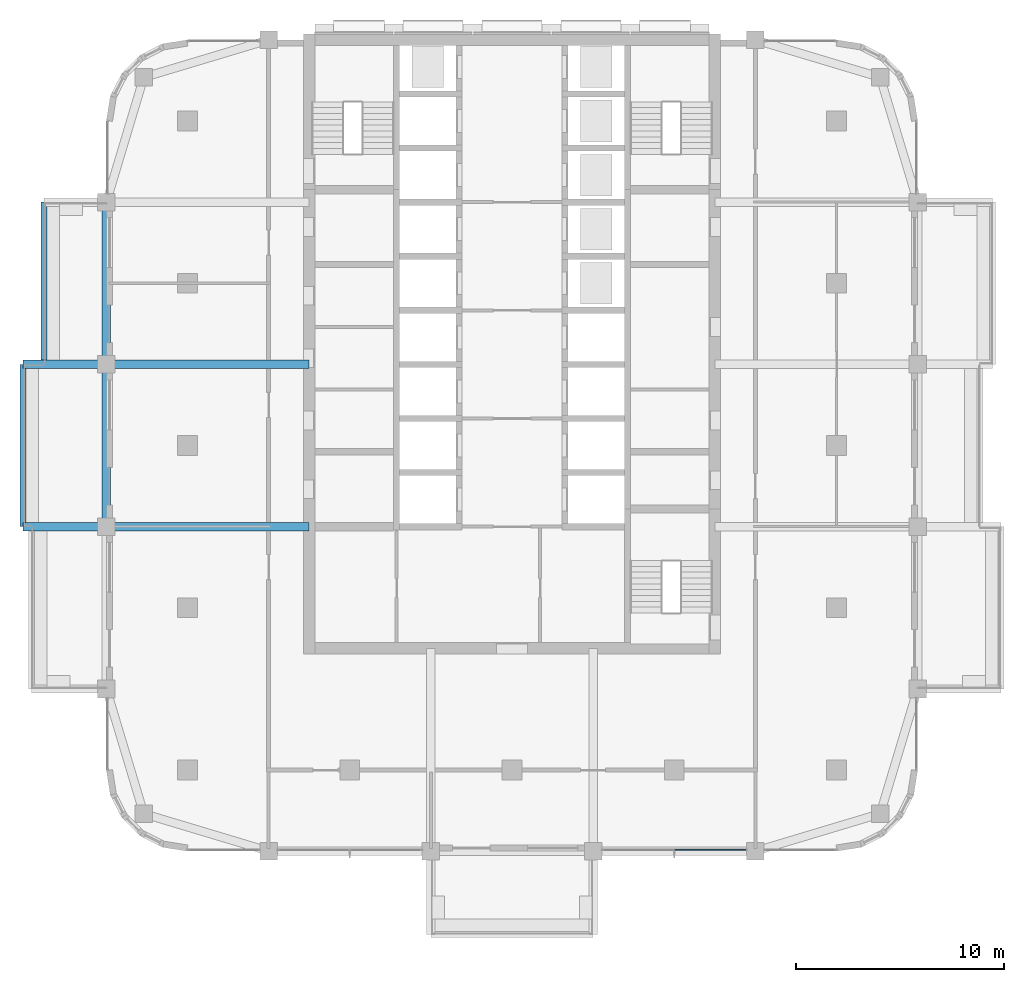
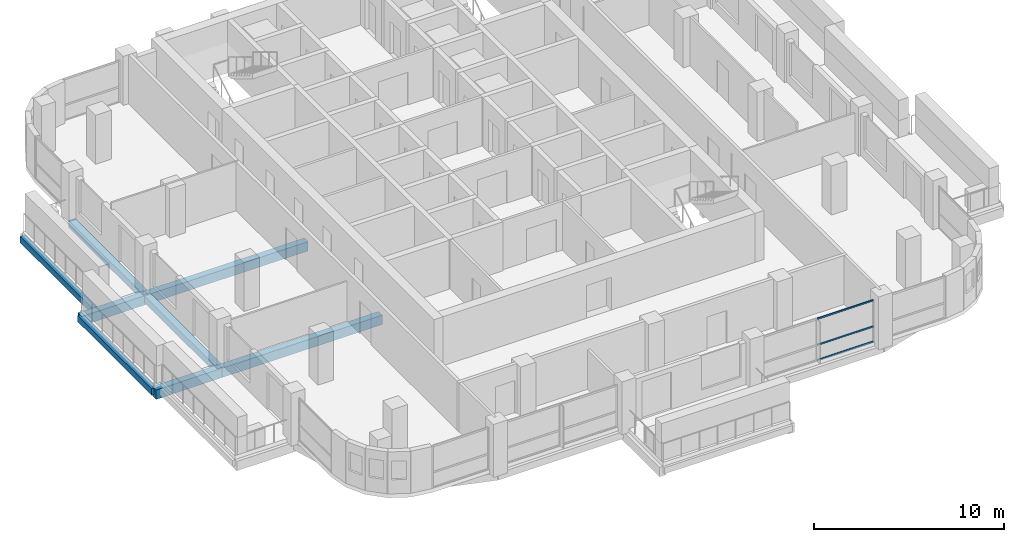
# One storey, part 4 of 19: 8 beams, 3 members, 1 element without a shape of its own.
"""IFC4 building model written with IfcOpenShell, lengths in metres."""

from ifc_helpers import new_model, si_unit, direction, frame, origin, origin_2d, place, context, subcontext, project, spatial, rectangle, extrude, material, material_profile, profile_set, type_object, element, aggregate, save


model = new_model("IFC4")

# Units and contexts
model_context = context("Model", 3, precision=1e-05, world=origin(), true_north=direction((0.0, 1.0)))
body_context = subcontext(model_context, "Body", "Model", "MODEL_VIEW")
ifc_project = project(units=[si_unit("LENGTHUNIT", "METRE"), si_unit("AREAUNIT", "SQUARE_METRE"), si_unit("VOLUMEUNIT", "CUBIC_METRE"), si_unit("PLANEANGLEUNIT", "RADIAN"), si_unit("MASSUNIT", "GRAM", prefix="KILO")], contexts=[model_context])

# Site, building, storey
site_placement = place(None, origin())
site = spatial("IfcSite", under=ifc_project, at=site_placement, CompositionType="ELEMENT")
building_placement = place(site_placement, origin())
building = spatial("IfcBuilding", under=site, at=building_placement, Name="Ludao Terraces", CompositionType="ELEMENT")
storey_placement = place(building_placement, frame((0.0, 0.0, 133.89990234375)))
storey = spatial("IfcBuildingStorey", under=building, at=storey_placement, Name="L36", CompositionType="ELEMENT", Elevation=133.89990234375)

# Curtain wall, members
ifc_material_1 = material(Name="Aluminium curtain wall with fritted glass", Category="aluminium")
curtain_wall_type = type_object("IfcCurtainWallType", Name="ENV CW3 community glazing", PredefinedType="NOTDEFINED", material=ifc_material_1)
curtain_wall_placement = place(storey_placement, origin())
curtain_wall = element("IfcCurtainWall", 1, at=curtain_wall_placement, inside=storey, type_object=curtain_wall_type, Name="Community floor glazing L36 S4", PredefinedType="NOTDEFINED")
ifc_material_2 = material(Name="Aluminium 6063-T6", Category="aluminium")
ifc_material_profile_1 = material_profile(ifc_material_2, rectangle(XDim=0.050048828125, YDim=0.10009765625, at=origin_2d()), Name="50 X 100")
ifc_profile_set_1 = profile_set([ifc_material_profile_1], Name="Aluminium 6063-T6")
member_type = type_object("IfcMemberType", Name="ENV CW3 transom 50x100", PredefinedType="USERDEFINED", material=ifc_profile_set_1)
member_1_placement = place(storey_placement, frame((92.824951171875, 45.56005859375, 0.025146484375), z_axis=(1.0, 0.0, 0.0), x_axis=(0.0, 1.0, 0.0)))
member_1 = element("IfcMember", 2, at=member_1_placement, type_object=member_type, Name="CW3 transom 2.1", ObjectType="TRANSOM", PredefinedType="USERDEFINED", context=body_context, shape_type="SweptSolid", body=[
    extrude(rectangle(XDim=0.050048828125, YDim=0.10009765625, at=origin_2d()), origin(), (0.0, 0.0, 1.0), 3.400146484375),
])
member_2_placement = place(storey_placement, frame((92.824951171875, 45.56005859375, 1.0), z_axis=(1.0, 0.0, 0.0), x_axis=(0.0, 1.0, 0.0)))
member_2 = element("IfcMember", 3, at=member_2_placement, type_object=member_type, Name="CW3 transom 2.2", ObjectType="TRANSOM", PredefinedType="USERDEFINED", context=body_context, shape_type="SweptSolid", body=[
    extrude(rectangle(XDim=0.050048828125, YDim=0.10009765625, at=origin_2d()), origin(), (0.0, 0.0, 1.0), 3.400146484375),
])
member_3_placement = place(storey_placement, frame((92.824951171875, 45.56005859375, 2.675048828125), z_axis=(1.0, 0.0, 0.0), x_axis=(0.0, 1.0, 0.0)))
member_3 = element("IfcMember", 4, at=member_3_placement, type_object=member_type, Name="CW3 transom 2.3", ObjectType="TRANSOM", PredefinedType="USERDEFINED", context=body_context, shape_type="SweptSolid", body=[
    extrude(rectangle(XDim=0.050048828125, YDim=0.10009765625, at=origin_2d()), origin(), (0.0, 0.0, 1.0), 3.400146484375),
])
aggregate(curtain_wall, [member_1, member_2, member_3])

# Beams
ifc_material_3 = material(Name="Concrete C40", Category="concrete")
ifc_material_profile_2 = material_profile(ifc_material_3, rectangle(XDim=0.300048828125, YDim=0.39990234375, at=origin_2d()), Name="300 X 400")
ifc_profile_set_2 = profile_set([ifc_material_profile_2], Name="Concrete C40")
beam_type_1 = type_object("IfcBeamType", Name="RC beam 300x400 C40", PredefinedType="BEAM", material=ifc_profile_set_2)
beam_1_placement = place(storey_placement, frame((61.5, 61.10009765625, -0.449951171875), z_axis=(0.0, 1.0, 0.0), x_axis=(-1.0, 0.0, 0.0)))
element("IfcBeam", 5, at=beam_1_placement, inside=storey, type_object=beam_type_1, Name="Balcony edge beam L36 W2", PredefinedType="BEAM", context=body_context, shape_type="SweptSolid", body=[
    extrude(rectangle(XDim=0.300048828125, YDim=0.39990234375, at=origin_2d()), origin(), (0.0, 0.0, 1.0), 7.7998046875),
])
beam_2_placement = place(storey_placement, frame((62.5, 68.89990234375, -0.449951171875), z_axis=(0.0, 1.0, 0.0), x_axis=(-1.0, 0.0, 0.0)))
element("IfcBeam", 6, at=beam_2_placement, inside=storey, type_object=beam_type_1, Name="Balcony edge beam L36 W3", PredefinedType="BEAM", context=body_context, shape_type="SweptSolid", body=[
    extrude(rectangle(XDim=0.300048828125, YDim=0.39990234375, at=origin_2d()), origin(), (0.0, 0.0, 1.0), 7.800048828125),
])
ifc_material_profile_3 = material_profile(ifc_material_3, rectangle(XDim=0.39990234375, YDim=0.449951171875, at=origin_2d()), Name="400 X 450")
ifc_profile_set_3 = profile_set([ifc_material_profile_3], Name="Concrete C40")
beam_type_2 = type_object("IfcBeamType", Name="RC beam 400x450 C40", PredefinedType="BEAM", material=ifc_profile_set_3)
beam_3_placement = place(storey_placement, frame((65.5, 61.10009765625, -0.474853515625), z_axis=(0.0, 1.0, 0.0), x_axis=(-1.0, 0.0, 0.0)))
element("IfcBeam", 7, at=beam_3_placement, inside=storey, type_object=beam_type_2, Name="Spandrel beam L36 W10", PredefinedType="BEAM", context=body_context, shape_type="SweptSolid", body=[
    extrude(rectangle(XDim=0.39990234375, YDim=0.449951171875, at=origin_2d()), origin(), (0.0, 0.0, 1.0), 7.7998046875),
])
beam_4_placement = place(storey_placement, frame((65.5, 68.89990234375, -0.474853515625), z_axis=(0.0, 1.0, 0.0), x_axis=(-1.0, 0.0, 0.0)))
element("IfcBeam", 8, at=beam_4_placement, inside=storey, type_object=beam_type_2, Name="Spandrel beam L36 W11", PredefinedType="BEAM", context=body_context, shape_type="SweptSolid", body=[
    extrude(rectangle(XDim=0.39990234375, YDim=0.449951171875, at=origin_2d()), origin(), (0.0, 0.0, 1.0), 7.800048828125),
])
ifc_material_profile_4 = material_profile(ifc_material_3, rectangle(XDim=0.39990234375, YDim=0.60009765625, at=origin_2d()), Name="400 X 600")
ifc_profile_set_4 = profile_set([ifc_material_profile_4], Name="Concrete C40")
beam_type_3 = type_object("IfcBeamType", Name="RC beam 400x600 C40", PredefinedType="BEAM", material=ifc_profile_set_4)
beam_5_placement = place(storey_placement, frame((75.25, 61.10009765625, -0.5498046875), z_axis=(-1.0, 0.0, 0.0), x_axis=(0.0, -1.0, 0.0)))
element("IfcBeam", 9, at=beam_5_placement, inside=storey, type_object=beam_type_3, Name="Balcony beam L36 W611", PredefinedType="BEAM", context=body_context, shape_type="SweptSolid", body=[
    extrude(rectangle(XDim=0.39990234375, YDim=0.60009765625, at=origin_2d()), origin(), (0.0, 0.0, 1.0), 9.75),
])
beam_6_placement = place(storey_placement, frame((65.5, 61.10009765625, -0.5498046875), z_axis=(-1.0, 0.0, 0.0), x_axis=(0.0, -1.0, 0.0)))
element("IfcBeam", 10, at=beam_6_placement, inside=storey, type_object=beam_type_3, Name="Balcony beam L36 W611", PredefinedType="BEAM", context=body_context, shape_type="SweptSolid", body=[
    extrude(rectangle(XDim=0.39990234375, YDim=0.60009765625, at=origin_2d()), origin(), (0.0, 0.0, 1.0), 4.0),
])
beam_7_placement = place(storey_placement, frame((75.25, 68.89990234375, -0.5498046875), z_axis=(-1.0, 0.0, 0.0), x_axis=(0.0, -1.0, 0.0)))
element("IfcBeam", 11, at=beam_7_placement, inside=storey, type_object=beam_type_3, Name="Balcony beam L36 W689", PredefinedType="BEAM", context=body_context, shape_type="SweptSolid", body=[
    extrude(rectangle(XDim=0.39990234375, YDim=0.60009765625, at=origin_2d()), origin(), (0.0, 0.0, 1.0), 9.75),
])
beam_8_placement = place(storey_placement, frame((65.5, 68.89990234375, -0.5498046875), z_axis=(-1.0, 0.0, 0.0), x_axis=(0.0, -1.0, 0.0)))
element("IfcBeam", 12, at=beam_8_placement, inside=storey, type_object=beam_type_3, Name="Balcony beam L36 W689", PredefinedType="BEAM", context=body_context, shape_type="SweptSolid", body=[
    extrude(rectangle(XDim=0.39990234375, YDim=0.60009765625, at=origin_2d()), origin(), (0.0, 0.0, 1.0), 4.0),
])

save(model, "model.ifc")
